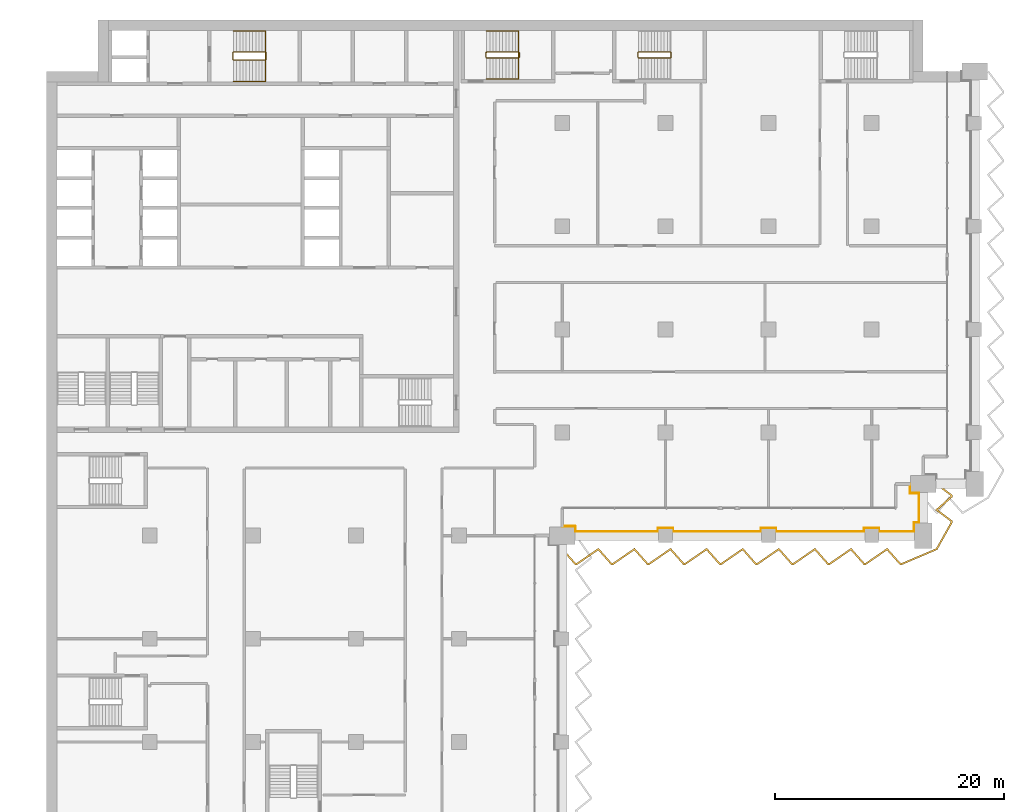
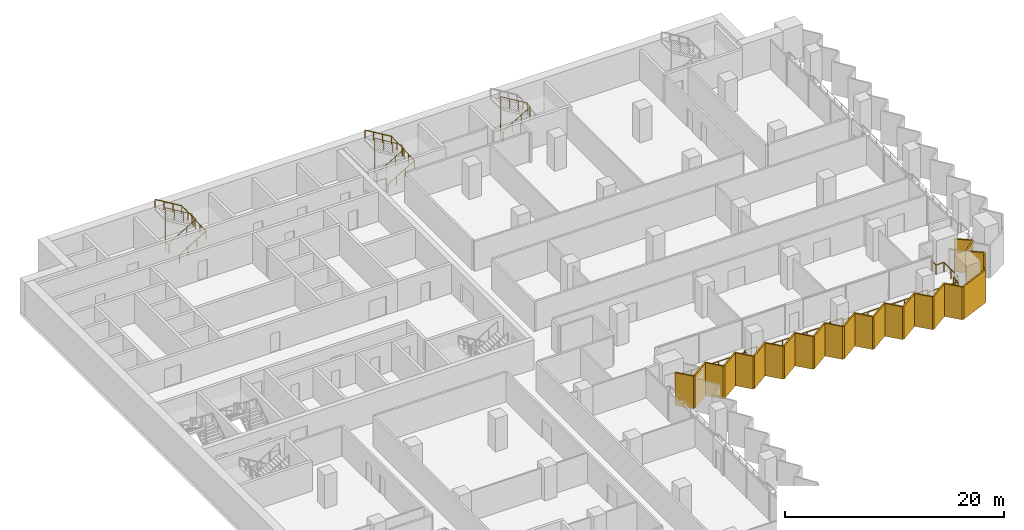
# One storey, part 22 of 23: 6 railings, 1 shading device.
"""IFC4 building model written with IfcOpenShell, lengths in metres."""

from ifc_helpers import new_model, si_unit, direction, frame, origin, origin_2d, place, context, subcontext, project, spatial, polyline, circle, outline, extrude, material, layer, layer_set, type_object, element, save


model = new_model("IFC4")

# Units and contexts
model_context = context("Model", 3, precision=1e-05, world=origin(), true_north=direction((0.0, 1.0)))
body_context = subcontext(model_context, "Body", "Model", "MODEL_VIEW")
ifc_project = project(units=[si_unit("LENGTHUNIT", "METRE"), si_unit("AREAUNIT", "SQUARE_METRE"), si_unit("VOLUMEUNIT", "CUBIC_METRE"), si_unit("PLANEANGLEUNIT", "RADIAN"), si_unit("MASSUNIT", "GRAM", prefix="KILO")], contexts=[model_context])

# Site, building, storey
site_placement = place(None, origin())
site = spatial("IfcSite", under=ifc_project, at=site_placement, CompositionType="ELEMENT")
building_placement = place(site_placement, origin())
building = spatial("IfcBuilding", under=site, at=building_placement, Name="Hunhe Ridgeline Campus", CompositionType="ELEMENT")
storey_placement = place(building_placement, frame((0.0, 0.0, 110.699951171875)))
storey = spatial("IfcBuildingStorey", under=building, at=storey_placement, Name="L27", CompositionType="ELEMENT", Elevation=110.699951171875)

# Railing
ifc_material_1 = material(Name="Steel Q355", Category="steel")
railing_type_1 = type_object("IfcRailingType", Name="Loggia guard 1100 Steel Q355", PredefinedType="GUARDRAIL", material=ifc_material_1)
railing_1_placement = place(storey_placement, frame((45.0, 54.820068359375, 0.0)))
element("IfcRailing", 1, at=railing_1_placement, inside=storey, type_object=railing_type_1, Name="Loggia guard 2", PredefinedType="GUARDRAIL", context=body_context, shape_type="SweptSolid", body=[
    extrude(circle(Radius=0.02392578125, at=origin_2d()), frame((0.0, 0.0, 1.076171875), z_axis=(1.0, 0.0, 0.0), x_axis=(0.0, 1.0, 0.0)), (0.0, 0.0, 1.0), 1.14990234375),
    extrude(circle(Radius=0.02392578125, at=origin_2d()), frame((1.14990234375, 0.0, 1.076171875), z_axis=(0.0, -1.0, 0.0), x_axis=(1.0, 0.0, 0.0)), (0.0, 0.0, 1.0), 0.469970703125),
    extrude(circle(Radius=0.02392578125, at=origin_2d()), frame((1.14990234375, -0.469970703125, 1.076171875), z_axis=(1.0, 0.0, 0.0), x_axis=(0.0, 1.0, 0.0)), (0.0, 0.0, 1.0), 7.2001953125),
    extrude(circle(Radius=0.02392578125, at=origin_2d()), frame((8.35009765625, -0.469970703125, 1.076171875), z_axis=(0.0, 1.0, 0.0), x_axis=(-1.0, 0.0, 0.0)), (0.0, 0.0, 1.0), 0.31982421875),
    extrude(circle(Radius=0.02392578125, at=origin_2d()), frame((8.35009765625, -0.150146484375, 1.076171875), z_axis=(1.0, 0.0, 0.0), x_axis=(0.0, 1.0, 0.0)), (0.0, 0.0, 1.0), 1.2998046875),
    extrude(circle(Radius=0.02392578125, at=origin_2d()), frame((9.64990234375, -0.150146484375, 1.076171875), z_axis=(0.0, -1.0, 0.0), x_axis=(1.0, 0.0, 0.0)), (0.0, 0.0, 1.0), 0.31982421875),
    extrude(circle(Radius=0.02392578125, at=origin_2d()), frame((9.64990234375, -0.469970703125, 1.076171875), z_axis=(1.0, 0.0, 0.0), x_axis=(0.0, 1.0, 0.0)), (0.0, 0.0, 1.0), 7.7001953125),
    extrude(circle(Radius=0.02392578125, at=origin_2d()), frame((17.35009765625, -0.469970703125, 1.076171875), z_axis=(0.0, 1.0, 0.0), x_axis=(-1.0, 0.0, 0.0)), (0.0, 0.0, 1.0), 0.31982421875),
    extrude(circle(Radius=0.02392578125, at=origin_2d()), frame((17.35009765625, -0.150146484375, 1.076171875), z_axis=(1.0, 0.0, 0.0), x_axis=(0.0, 1.0, 0.0)), (0.0, 0.0, 1.0), 1.2998046875),
    extrude(circle(Radius=0.02392578125, at=origin_2d()), frame((18.64990234375, -0.150146484375, 1.076171875), z_axis=(0.0, -1.0, 0.0), x_axis=(1.0, 0.0, 0.0)), (0.0, 0.0, 1.0), 0.31982421875),
    extrude(circle(Radius=0.02392578125, at=origin_2d()), frame((18.64990234375, -0.469970703125, 1.076171875), z_axis=(1.0, 0.0, 0.0), x_axis=(0.0, 1.0, 0.0)), (0.0, 0.0, 1.0), 7.7001953125),
    extrude(circle(Radius=0.02392578125, at=origin_2d()), frame((26.35009765625, -0.469970703125, 1.076171875), z_axis=(0.0, 1.0, 0.0), x_axis=(-1.0, 0.0, 0.0)), (0.0, 0.0, 1.0), 0.31982421875),
    extrude(circle(Radius=0.02392578125, at=origin_2d()), frame((26.35009765625, -0.150146484375, 1.076171875), z_axis=(1.0, 0.0, 0.0), x_axis=(0.0, 1.0, 0.0)), (0.0, 0.0, 1.0), 1.2998046875),
    extrude(circle(Radius=0.02392578125, at=origin_2d()), frame((27.64990234375, -0.150146484375, 1.076171875), z_axis=(0.0, -1.0, 0.0), x_axis=(1.0, 0.0, 0.0)), (0.0, 0.0, 1.0), 0.31982421875),
    extrude(circle(Radius=0.02392578125, at=origin_2d()), frame((27.64990234375, -0.469970703125, 1.076171875), z_axis=(1.0, 0.0, 0.0), x_axis=(0.0, 1.0, 0.0)), (0.0, 0.0, 1.0), 3.050048828125),
    extrude(circle(Radius=0.02392578125, at=origin_2d()), frame((30.699951171875, -0.469970703125, 1.076171875), z_axis=(0.0, 1.0, 0.0), x_axis=(-1.0, 0.0, 0.0)), (0.0, 0.0, 1.0), 0.81982421875),
    extrude(circle(Radius=0.02392578125, at=origin_2d()), frame((30.699951171875, 0.349853515625, 1.076171875), z_axis=(-0.057129153726, -0.99836679622, 0.0), x_axis=(0.99836679622, -0.057129153726, 0.0)), (0.0, 0.0, 1.0), 0.350341796875),
    extrude(circle(Radius=0.02392578125, at=origin_2d()), frame((30.679931640625, 0.0, 1.076171875), z_axis=(0.0, 1.0, 0.0), x_axis=(-1.0, 0.0, 0.0)), (0.0, 0.0, 1.0), 0.329833984375),
    extrude(circle(Radius=0.02392578125, at=origin_2d()), frame((30.679931640625, 0.329833984375, 1.076171875), z_axis=(1.0, 0.0, 0.0), x_axis=(0.0, 1.0, 0.0)), (0.0, 0.0, 1.0), 0.469970703125),
    extrude(circle(Radius=0.02392578125, at=origin_2d()), frame((31.14990234375, 0.329833984375, 1.076171875), z_axis=(0.0, 1.0, 0.0), x_axis=(-1.0, 0.0, 0.0)), (0.0, 0.0, 1.0), 2.550048828125),
    extrude(circle(Radius=0.02392578125, at=origin_2d()), frame((31.14990234375, 2.8798828125, 1.076171875), z_axis=(-1.0, 0.0, 0.0), x_axis=(0.0, -1.0, 0.0)), (0.0, 0.0, 1.0), 0.81982421875),
    extrude(circle(Radius=0.02392578125, at=origin_2d()), frame((30.330078125, 2.8798828125, 1.076171875), z_axis=(0.0, 1.0, 0.0), x_axis=(-1.0, 0.0, 0.0)), (0.0, 0.0, 1.0), 0.800048828125),
    extrude(circle(Radius=0.02099609375, at=origin_2d()), origin(), (0.0, 0.0, 1.0), 1.052001953125),
    extrude(circle(Radius=0.02099609375, at=origin_2d()), frame((1.14990234375, 0.0, 0.0)), (0.0, 0.0, 1.0), 1.052001953125),
    extrude(circle(Radius=0.02099609375, at=origin_2d()), frame((1.14990234375, -0.469970703125, 0.0)), (0.0, 0.0, 1.0), 1.052001953125),
    extrude(circle(Radius=0.02099609375, at=origin_2d()), frame((2.58984375, -0.469970703125, 0.0)), (0.0, 0.0, 1.0), 1.052001953125),
    extrude(circle(Radius=0.02099609375, at=origin_2d()), frame((4.030029296875, -0.469970703125, 0.0)), (0.0, 0.0, 1.0), 1.052001953125),
    extrude(circle(Radius=0.02099609375, at=origin_2d()), frame((5.469970703125, -0.469970703125, 0.0)), (0.0, 0.0, 1.0), 1.052001953125),
    extrude(circle(Radius=0.02099609375, at=origin_2d()), frame((6.91015625, -0.469970703125, 0.0)), (0.0, 0.0, 1.0), 1.052001953125),
    extrude(circle(Radius=0.02099609375, at=origin_2d()), frame((8.35009765625, -0.469970703125, 0.0)), (0.0, 0.0, 1.0), 1.052001953125),
    extrude(circle(Radius=0.02099609375, at=origin_2d()), frame((8.35009765625, -0.150146484375, 0.0)), (0.0, 0.0, 1.0), 1.052001953125),
    extrude(circle(Radius=0.02099609375, at=origin_2d()), frame((9.64990234375, -0.150146484375, 0.0)), (0.0, 0.0, 1.0), 1.052001953125),
    extrude(circle(Radius=0.02099609375, at=origin_2d()), frame((9.64990234375, -0.469970703125, 0.0)), (0.0, 0.0, 1.0), 1.052001953125),
    extrude(circle(Radius=0.02099609375, at=origin_2d()), frame((10.933349609375, -0.469970703125, 0.0)), (0.0, 0.0, 1.0), 1.052001953125),
    extrude(circle(Radius=0.02099609375, at=origin_2d()), frame((12.216552734375, -0.469970703125, 0.0)), (0.0, 0.0, 1.0), 1.052001953125),
    extrude(circle(Radius=0.02099609375, at=origin_2d()), frame((13.5, -0.469970703125, 0.0)), (0.0, 0.0, 1.0), 1.052001953125),
    extrude(circle(Radius=0.02099609375, at=origin_2d()), frame((14.783447265625, -0.469970703125, 0.0)), (0.0, 0.0, 1.0), 1.052001953125),
    extrude(circle(Radius=0.02099609375, at=origin_2d()), frame((16.066650390625, -0.469970703125, 0.0)), (0.0, 0.0, 1.0), 1.052001953125),
    extrude(circle(Radius=0.02099609375, at=origin_2d()), frame((17.35009765625, -0.469970703125, 0.0)), (0.0, 0.0, 1.0), 1.052001953125),
    extrude(circle(Radius=0.02099609375, at=origin_2d()), frame((17.35009765625, -0.150146484375, 0.0)), (0.0, 0.0, 1.0), 1.052001953125),
    extrude(circle(Radius=0.02099609375, at=origin_2d()), frame((18.64990234375, -0.150146484375, 0.0)), (0.0, 0.0, 1.0), 1.052001953125),
    extrude(circle(Radius=0.02099609375, at=origin_2d()), frame((18.64990234375, -0.469970703125, 0.0)), (0.0, 0.0, 1.0), 1.052001953125),
    extrude(circle(Radius=0.02099609375, at=origin_2d()), frame((19.933349609375, -0.469970703125, 0.0)), (0.0, 0.0, 1.0), 1.052001953125),
    extrude(circle(Radius=0.02099609375, at=origin_2d()), frame((21.216552734375, -0.469970703125, 0.0)), (0.0, 0.0, 1.0), 1.052001953125),
    extrude(circle(Radius=0.02099609375, at=origin_2d()), frame((22.5, -0.469970703125, 0.0)), (0.0, 0.0, 1.0), 1.052001953125),
    extrude(circle(Radius=0.02099609375, at=origin_2d()), frame((23.783447265625, -0.469970703125, 0.0)), (0.0, 0.0, 1.0), 1.052001953125),
    extrude(circle(Radius=0.02099609375, at=origin_2d()), frame((25.066650390625, -0.469970703125, 0.0)), (0.0, 0.0, 1.0), 1.052001953125),
    extrude(circle(Radius=0.02099609375, at=origin_2d()), frame((26.35009765625, -0.469970703125, 0.0)), (0.0, 0.0, 1.0), 1.052001953125),
    extrude(circle(Radius=0.02099609375, at=origin_2d()), frame((26.35009765625, -0.150146484375, 0.0)), (0.0, 0.0, 1.0), 1.052001953125),
    extrude(circle(Radius=0.02099609375, at=origin_2d()), frame((27.64990234375, -0.150146484375, 0.0)), (0.0, 0.0, 1.0), 1.052001953125),
    extrude(circle(Radius=0.02099609375, at=origin_2d()), frame((27.64990234375, -0.469970703125, 0.0)), (0.0, 0.0, 1.0), 1.052001953125),
    extrude(circle(Radius=0.02099609375, at=origin_2d()), frame((28.66650390625, -0.469970703125, 0.0)), (0.0, 0.0, 1.0), 1.052001953125),
    extrude(circle(Radius=0.02099609375, at=origin_2d()), frame((29.683349609375, -0.469970703125, 0.0)), (0.0, 0.0, 1.0), 1.052001953125),
    extrude(circle(Radius=0.02099609375, at=origin_2d()), frame((30.699951171875, -0.469970703125, 0.0)), (0.0, 0.0, 1.0), 1.052001953125),
    extrude(circle(Radius=0.02099609375, at=origin_2d()), frame((30.699951171875, 0.349853515625, 0.0)), (0.0, 0.0, 1.0), 1.052001953125),
    extrude(circle(Radius=0.02099609375, at=origin_2d()), frame((30.679931640625, 0.0, 0.0)), (0.0, 0.0, 1.0), 1.052001953125),
    extrude(circle(Radius=0.02099609375, at=origin_2d()), frame((30.679931640625, 0.329833984375, 0.0)), (0.0, 0.0, 1.0), 1.052001953125),
    extrude(circle(Radius=0.02099609375, at=origin_2d()), frame((31.14990234375, 0.329833984375, 0.0)), (0.0, 0.0, 1.0), 1.052001953125),
    extrude(circle(Radius=0.02099609375, at=origin_2d()), frame((31.14990234375, 1.60498046875, 0.0)), (0.0, 0.0, 1.0), 1.052001953125),
    extrude(circle(Radius=0.02099609375, at=origin_2d()), frame((31.14990234375, 2.8798828125, 0.0)), (0.0, 0.0, 1.0), 1.052001953125),
    extrude(circle(Radius=0.02099609375, at=origin_2d()), frame((30.330078125, 2.8798828125, 0.0)), (0.0, 0.0, 1.0), 1.052001953125),
    extrude(circle(Radius=0.02099609375, at=origin_2d()), frame((30.330078125, 3.679931640625, 0.0)), (0.0, 0.0, 1.0), 1.052001953125),
])

# Shading device
ifc_material_2 = material(Name="Concrete C50", Category="concrete")
ifc_layer = layer(ifc_material_2, 0.14990234375)
ifc_layer_set = layer_set([ifc_layer], Name="Sawtooth concrete fin 150 Concrete C50")
shading_device_type = type_object("IfcShadingDeviceType", Name="Sawtooth concrete fin 150 Concrete C50", PredefinedType="USERDEFINED", material=ifc_layer_set)
shading_device_placement = place(storey_placement, frame((0.0, 0.0, -0.949951171875)))
element("IfcShadingDevice", 2, at=shading_device_placement, inside=storey, type_object=shading_device_type, Name="Concrete fin screen 2", ObjectType="FIN", PredefinedType="USERDEFINED", context=body_context, shape_type="SweptSolid", body=[
    extrude(outline(polyline([(45.05615234375, 52.87451171875), (44.94384765625, 52.775390625), (46.11328125, 51.449951171875), (46.29052734375, 51.449951171875), (48.137939453125, 52.725341796875), (49.26318359375, 51.449951171875), (49.4404296875, 51.449951171875), (51.287841796875, 52.725341796875), (52.413330078125, 51.449951171875), (52.590576171875, 51.449951171875), (54.437744140625, 52.725341796875), (55.563232421875, 51.449951171875), (55.740478515625, 51.449951171875), (57.587890625, 52.725341796875), (58.71337890625, 51.449951171875), (58.890380859375, 51.449951171875), (60.73779296875, 52.725341796875), (61.86328125, 51.449951171875), (62.04052734375, 51.449951171875), (63.887939453125, 52.725341796875), (65.01318359375, 51.449951171875), (65.1904296875, 51.449951171875), (67.037841796875, 52.725341796875), (68.163330078125, 51.449951171875), (68.340576171875, 51.449951171875), (70.187744140625, 52.725341796875), (71.313232421875, 51.449951171875), (71.490478515625, 51.449951171875), (73.337890625, 52.725341796875), (74.46337890625, 51.449951171875), (74.63232421875, 51.449951171875), (77.72802734375, 52.76611328125), (79.050048828125, 55.12744140625), (79.050048828125, 55.304443359375), (77.79345703125, 56.25439453125), (79.050048828125, 57.36328125), (79.050048828125, 57.554443359375), (77.72021484375, 58.559814453125), (77.6298828125, 58.440185546875), (78.89990234375, 57.479736328125), (78.89990234375, 57.430908203125), (77.556640625, 56.24560546875), (78.89990234375, 55.229736328125), (78.89990234375, 55.166748046875), (77.6220703125, 52.884033203125), (74.601806640625, 51.60009765625), (74.531005859375, 51.60009765625), (73.362060546875, 52.924560546875), (71.44384765625, 51.60009765625), (71.380859375, 51.60009765625), (70.212158203125, 52.924560546875), (68.293701171875, 51.60009765625), (68.23095703125, 51.60009765625), (67.062255859375, 52.924560546875), (65.143798828125, 51.60009765625), (65.0810546875, 51.60009765625), (63.912109375, 52.924560546875), (61.99365234375, 51.60009765625), (61.930908203125, 51.60009765625), (60.76220703125, 52.924560546875), (58.84375, 51.60009765625), (58.781005859375, 51.60009765625), (57.612060546875, 52.924560546875), (55.69384765625, 51.60009765625), (55.630859375, 51.60009765625), (54.462158203125, 52.924560546875), (52.543701171875, 51.60009765625), (52.48095703125, 51.60009765625), (51.312255859375, 52.924560546875), (49.393798828125, 51.60009765625), (49.3310546875, 51.60009765625), (48.162109375, 52.924560546875), (46.24365234375, 51.60009765625), (46.180908203125, 51.60009765625), (45.05615234375, 52.87451171875)])), origin(), (0.0, 0.0, 1.0), 3.64990234375),
])

# Railings
ifc_material_3 = material(Name="Stainless steel balustrade", Category="steel")
railing_type_2 = type_object("IfcRailingType", Name="Stair guard 1100 stainless", PredefinedType="GUARDRAIL", material=ifc_material_3)
railing_2_placement = place(storey_placement, frame((16.300048828125, 95.5, 0.168212890625)))
element("IfcRailing", 3, at=railing_2_placement, inside=storey, type_object=railing_type_2, Name="L27 stair S1 guard", PredefinedType="GUARDRAIL", context=body_context, shape_type="SweptSolid", body=[
    extrude(circle(Radius=0.02392578125, at=origin_2d()), frame((0.0, 0.0, 1.076171875), z_axis=(0.857242210791, 0.0, 0.514913383045), x_axis=(0.0, 1.0, 0.0)), (0.0, 0.0, 1.0), 3.266357421875),
    extrude(circle(Radius=0.02392578125, at=origin_2d()), frame((2.800048828125, 0.0, 2.7578125), z_axis=(0.705375805398, 0.708833529934, 0.0), x_axis=(-0.708833529934, 0.705375805398, 0.0)), (0.0, 0.0, 1.0), 0.070556640625),
    extrude(circle(Radius=0.02392578125, at=origin_2d()), frame((2.849853515625, 0.050048828125, 2.7578125), z_axis=(0.0, 1.0, 0.0), x_axis=(-1.0, 0.0, 0.0)), (0.0, 0.0, 1.0), 0.599853515625),
    extrude(circle(Radius=0.02392578125, at=origin_2d()), frame((2.849853515625, 0.64990234375, 2.7578125), z_axis=(-0.273006030465, 0.27434429532, 0.922064485248), x_axis=(-0.708833529934, -0.705375805398, 0.0)), (0.0, 0.0, 1.0), 0.182373046875),
    extrude(circle(Radius=0.02392578125, at=origin_2d()), frame((2.800048828125, 0.699951171875, 2.92626953125), z_axis=(-0.857275202839, 0.0, 0.514858452973), x_axis=(0.0, -1.0, 0.0)), (0.0, 0.0, 1.0), 3.26611328125),
    extrude(circle(Radius=0.02392578125, at=origin_2d()), frame((0.0, 0.699951171875, 4.60791015625), z_axis=(-0.013524414389, -0.013524414389, -0.999817073484), x_axis=(0.707106781187, -0.707106781187, 0.0)), (0.0, 0.0, 1.0), 3.70068359375),
    extrude(circle(Radius=0.02392578125, at=origin_2d()), frame((-0.050048828125, 0.64990234375, 0.90771484375), z_axis=(0.0, -1.0, 0.0), x_axis=(1.0, 0.0, 0.0)), (0.0, 0.0, 1.0), 0.599853515625),
    extrude(circle(Radius=0.02099609375, at=origin_2d()), origin(), (0.0, 0.0, 1.0), 1.052001953125),
    extrude(circle(Radius=0.02099609375, at=origin_2d()), frame((0.933349609375, 0.0, 0.560546875)), (0.0, 0.0, 1.0), 1.052001953125),
    extrude(circle(Radius=0.02099609375, at=origin_2d()), frame((1.86669921875, 0.0, 1.121337890625)), (0.0, 0.0, 1.0), 1.052001953125),
    extrude(circle(Radius=0.02099609375, at=origin_2d()), frame((2.800048828125, 0.0, 1.681884765625)), (0.0, 0.0, 1.0), 1.052001953125),
    extrude(circle(Radius=0.02099609375, at=origin_2d()), frame((2.849853515625, 0.050048828125, 1.681884765625)), (0.0, 0.0, 1.0), 1.052001953125),
    extrude(circle(Radius=0.02099609375, at=origin_2d()), frame((2.849853515625, 0.64990234375, 1.681884765625)), (0.0, 0.0, 1.0), 1.052001953125),
    extrude(circle(Radius=0.02099609375, at=origin_2d()), frame((2.800048828125, 0.699951171875, 1.85009765625)), (0.0, 0.0, 1.0), 1.052001953125),
    extrude(circle(Radius=0.02099609375, at=origin_2d()), frame((1.86669921875, 0.699951171875, 2.41064453125)), (0.0, 0.0, 1.0), 1.052001953125),
    extrude(circle(Radius=0.02099609375, at=origin_2d()), frame((0.933349609375, 0.699951171875, 2.97119140625)), (0.0, 0.0, 1.0), 1.052001953125),
    extrude(circle(Radius=0.02099609375, at=origin_2d()), frame((0.0, 0.699951171875, 3.53173828125)), (0.0, 0.0, 1.0), 1.052001953125),
    extrude(circle(Radius=0.02099609375, at=origin_2d()), frame((-0.012451171875, 0.6875, 2.606689453125)), (0.0, 0.0, 1.0), 1.052001953125),
    extrude(circle(Radius=0.02099609375, at=origin_2d()), frame((-0.02490234375, 0.6748046875, 1.681640625)), (0.0, 0.0, 1.0), 1.052001953125),
    extrude(circle(Radius=0.02099609375, at=origin_2d()), frame((-0.03759765625, 0.662353515625, 0.7568359375)), (0.0, 0.0, 1.0), 1.052001953125),
    extrude(circle(Radius=0.02099609375, at=origin_2d()), frame((-0.050048828125, 0.64990234375, -0.168212890625)), (0.0, 0.0, 1.0), 1.052001953125),
    extrude(circle(Radius=0.02099609375, at=origin_2d()), frame((-0.050048828125, 0.050048828125, -0.168212890625)), (0.0, 0.0, 1.0), 1.052001953125),
])
railing_3_placement = place(storey_placement, frame((38.39990234375, 95.699951171875, 0.168212890625)))
element("IfcRailing", 4, at=railing_3_placement, inside=storey, type_object=railing_type_2, Name="L27 stair E1 guard", PredefinedType="GUARDRAIL", context=body_context, shape_type="SweptSolid", body=[
    extrude(circle(Radius=0.02392578125, at=origin_2d()), frame((0.0, 0.0, 1.076171875), z_axis=(0.857242210791, 0.0, 0.514913383045), x_axis=(0.0, 1.0, 0.0)), (0.0, 0.0, 1.0), 3.266357421875),
    extrude(circle(Radius=0.02392578125, at=origin_2d()), frame((2.800048828125, 0.0, 2.7578125), z_axis=(0.707106781187, 0.707106781187, 0.0), x_axis=(-0.707106781187, 0.707106781187, 0.0)), (0.0, 0.0, 1.0), 0.07080078125),
    extrude(circle(Radius=0.02392578125, at=origin_2d()), frame((2.85009765625, 0.050048828125, 2.7578125), z_axis=(0.0, 1.0, 0.0), x_axis=(-1.0, 0.0, 0.0)), (0.0, 0.0, 1.0), 0.39990234375),
    extrude(circle(Radius=0.02392578125, at=origin_2d()), frame((2.85009765625, 0.449951171875, 2.7578125), z_axis=(-0.274243871929, 0.274243871929, 0.92172696468), x_axis=(-0.707106781187, -0.707106781187, 0.0)), (0.0, 0.0, 1.0), 0.1826171875),
    extrude(circle(Radius=0.02392578125, at=origin_2d()), frame((2.800048828125, 0.5, 2.92626953125), z_axis=(-0.857275202839, 0.0, 0.514858452973), x_axis=(0.0, -1.0, 0.0)), (0.0, 0.0, 1.0), 3.26611328125),
    extrude(circle(Radius=0.02392578125, at=origin_2d()), frame((0.0, 0.5, 4.60791015625), z_axis=(-0.013458453615, -0.013524426427, -0.999817963389), x_axis=(0.708833529934, -0.705375805398, 0.0)), (0.0, 0.0, 1.0), 3.70068359375),
    extrude(circle(Radius=0.02392578125, at=origin_2d()), frame((-0.0498046875, 0.449951171875, 0.90771484375), z_axis=(0.0, -1.0, 0.0), x_axis=(1.0, 0.0, 0.0)), (0.0, 0.0, 1.0), 0.39990234375),
    extrude(circle(Radius=0.02099609375, at=origin_2d()), origin(), (0.0, 0.0, 1.0), 1.052001953125),
    extrude(circle(Radius=0.02099609375, at=origin_2d()), frame((0.933349609375, 0.0, 0.560546875)), (0.0, 0.0, 1.0), 1.052001953125),
    extrude(circle(Radius=0.02099609375, at=origin_2d()), frame((1.86669921875, 0.0, 1.121337890625)), (0.0, 0.0, 1.0), 1.052001953125),
    extrude(circle(Radius=0.02099609375, at=origin_2d()), frame((2.800048828125, 0.0, 1.681884765625)), (0.0, 0.0, 1.0), 1.052001953125),
    extrude(circle(Radius=0.02099609375, at=origin_2d()), frame((2.85009765625, 0.050048828125, 1.681884765625)), (0.0, 0.0, 1.0), 1.052001953125),
    extrude(circle(Radius=0.02099609375, at=origin_2d()), frame((2.85009765625, 0.449951171875, 1.681884765625)), (0.0, 0.0, 1.0), 1.052001953125),
    extrude(circle(Radius=0.02099609375, at=origin_2d()), frame((2.800048828125, 0.5, 1.85009765625)), (0.0, 0.0, 1.0), 1.052001953125),
    extrude(circle(Radius=0.02099609375, at=origin_2d()), frame((1.86669921875, 0.5, 2.41064453125)), (0.0, 0.0, 1.0), 1.052001953125),
    extrude(circle(Radius=0.02099609375, at=origin_2d()), frame((0.933349609375, 0.5, 2.97119140625)), (0.0, 0.0, 1.0), 1.052001953125),
    extrude(circle(Radius=0.02099609375, at=origin_2d()), frame((0.0, 0.5, 3.53173828125)), (0.0, 0.0, 1.0), 1.052001953125),
    extrude(circle(Radius=0.02099609375, at=origin_2d()), frame((-0.012451171875, 0.487548828125, 2.606689453125)), (0.0, 0.0, 1.0), 1.052001953125),
    extrude(circle(Radius=0.02099609375, at=origin_2d()), frame((-0.02490234375, 0.47509765625, 1.681640625)), (0.0, 0.0, 1.0), 1.052001953125),
    extrude(circle(Radius=0.02099609375, at=origin_2d()), frame((-0.037353515625, 0.46240234375, 0.7568359375)), (0.0, 0.0, 1.0), 1.052001953125),
    extrude(circle(Radius=0.02099609375, at=origin_2d()), frame((-0.0498046875, 0.449951171875, -0.168212890625)), (0.0, 0.0, 1.0), 1.052001953125),
    extrude(circle(Radius=0.02099609375, at=origin_2d()), frame((-0.0498046875, 0.050048828125, -0.168212890625)), (0.0, 0.0, 1.0), 1.052001953125),
])
railing_4_placement = place(storey_placement, frame((51.64990234375, 95.699951171875, 0.168212890625)))
element("IfcRailing", 5, at=railing_4_placement, inside=storey, type_object=railing_type_2, Name="L27 stair E2 guard", PredefinedType="GUARDRAIL", context=body_context, shape_type="SweptSolid", body=[
    extrude(circle(Radius=0.02392578125, at=origin_2d()), frame((0.0, 0.0, 1.076171875), z_axis=(0.857242210791, 0.0, 0.514913383045), x_axis=(0.0, 1.0, 0.0)), (0.0, 0.0, 1.0), 3.266357421875),
    extrude(circle(Radius=0.02392578125, at=origin_2d()), frame((2.800048828125, 0.0, 2.7578125), z_axis=(0.707106781187, 0.707106781187, 0.0), x_axis=(-0.707106781187, 0.707106781187, 0.0)), (0.0, 0.0, 1.0), 0.07080078125),
    extrude(circle(Radius=0.02392578125, at=origin_2d()), frame((2.85009765625, 0.050048828125, 2.7578125), z_axis=(0.0, 1.0, 0.0), x_axis=(-1.0, 0.0, 0.0)), (0.0, 0.0, 1.0), 0.39990234375),
    extrude(circle(Radius=0.02392578125, at=origin_2d()), frame((2.85009765625, 0.449951171875, 2.7578125), z_axis=(-0.274243871929, 0.274243871929, 0.92172696468), x_axis=(-0.707106781187, -0.707106781187, 0.0)), (0.0, 0.0, 1.0), 0.1826171875),
    extrude(circle(Radius=0.02392578125, at=origin_2d()), frame((2.800048828125, 0.5, 2.92626953125), z_axis=(-0.857275202839, 0.0, 0.514858452973), x_axis=(0.0, -1.0, 0.0)), (0.0, 0.0, 1.0), 3.26611328125),
    extrude(circle(Radius=0.02392578125, at=origin_2d()), frame((0.0, 0.5, 4.60791015625), z_axis=(-0.013458453615, -0.013524426427, -0.999817963389), x_axis=(0.708833529934, -0.705375805398, 0.0)), (0.0, 0.0, 1.0), 3.70068359375),
    extrude(circle(Radius=0.02392578125, at=origin_2d()), frame((-0.0498046875, 0.449951171875, 0.90771484375), z_axis=(0.0, -1.0, 0.0), x_axis=(1.0, 0.0, 0.0)), (0.0, 0.0, 1.0), 0.39990234375),
    extrude(circle(Radius=0.02099609375, at=origin_2d()), origin(), (0.0, 0.0, 1.0), 1.052001953125),
    extrude(circle(Radius=0.02099609375, at=origin_2d()), frame((0.933349609375, 0.0, 0.560546875)), (0.0, 0.0, 1.0), 1.052001953125),
    extrude(circle(Radius=0.02099609375, at=origin_2d()), frame((1.86669921875, 0.0, 1.121337890625)), (0.0, 0.0, 1.0), 1.052001953125),
    extrude(circle(Radius=0.02099609375, at=origin_2d()), frame((2.800048828125, 0.0, 1.681884765625)), (0.0, 0.0, 1.0), 1.052001953125),
    extrude(circle(Radius=0.02099609375, at=origin_2d()), frame((2.85009765625, 0.050048828125, 1.681884765625)), (0.0, 0.0, 1.0), 1.052001953125),
    extrude(circle(Radius=0.02099609375, at=origin_2d()), frame((2.85009765625, 0.449951171875, 1.681884765625)), (0.0, 0.0, 1.0), 1.052001953125),
    extrude(circle(Radius=0.02099609375, at=origin_2d()), frame((2.800048828125, 0.5, 1.85009765625)), (0.0, 0.0, 1.0), 1.052001953125),
    extrude(circle(Radius=0.02099609375, at=origin_2d()), frame((1.86669921875, 0.5, 2.41064453125)), (0.0, 0.0, 1.0), 1.052001953125),
    extrude(circle(Radius=0.02099609375, at=origin_2d()), frame((0.933349609375, 0.5, 2.97119140625)), (0.0, 0.0, 1.0), 1.052001953125),
    extrude(circle(Radius=0.02099609375, at=origin_2d()), frame((0.0, 0.5, 3.53173828125)), (0.0, 0.0, 1.0), 1.052001953125),
    extrude(circle(Radius=0.02099609375, at=origin_2d()), frame((-0.012451171875, 0.487548828125, 2.606689453125)), (0.0, 0.0, 1.0), 1.052001953125),
    extrude(circle(Radius=0.02099609375, at=origin_2d()), frame((-0.02490234375, 0.47509765625, 1.681640625)), (0.0, 0.0, 1.0), 1.052001953125),
    extrude(circle(Radius=0.02099609375, at=origin_2d()), frame((-0.037353515625, 0.46240234375, 0.7568359375)), (0.0, 0.0, 1.0), 1.052001953125),
    extrude(circle(Radius=0.02099609375, at=origin_2d()), frame((-0.0498046875, 0.449951171875, -0.168212890625)), (0.0, 0.0, 1.0), 1.052001953125),
    extrude(circle(Radius=0.02099609375, at=origin_2d()), frame((-0.0498046875, 0.050048828125, -0.168212890625)), (0.0, 0.0, 1.0), 1.052001953125),
])
ifc_material_4 = material(Name="Stainless steel handrail", Category="steel")
railing_type_3 = type_object("IfcRailingType", Name="Stair handrail 900 stainless", PredefinedType="HANDRAIL", material=ifc_material_4)
railing_5_placement = place(storey_placement, frame((16.300048828125, 93.64990234375, 0.168212890625)))
element("IfcRailing", 6, at=railing_5_placement, inside=storey, type_object=railing_type_3, Name="L27 stair S1 handrail", PredefinedType="HANDRAIL", context=body_context, shape_type="SweptSolid", body=[
    extrude(circle(Radius=0.02392578125, at=origin_2d()), frame((0.0, 0.0, 0.8759765625), z_axis=(0.857242210791, 0.0, 0.514913383045), x_axis=(0.0, 1.0, 0.0)), (0.0, 0.0, 1.0), 3.266357421875),
    extrude(circle(Radius=0.02392578125, at=origin_2d()), frame((2.800048828125, 0.0, 2.5576171875), z_axis=(0.0, 0.999270074432, 0.038201025428), x_axis=(-1.0, 0.0, 0.0)), (0.0, 0.0, 1.0), 4.4033203125),
    extrude(circle(Radius=0.02392578125, at=origin_2d()), frame((2.800048828125, 4.400146484375, 2.72607421875), z_axis=(-0.857275202839, 0.0, 0.514858452973), x_axis=(0.0, -1.0, 0.0)), (0.0, 0.0, 1.0), 3.26611328125),
    extrude(circle(Radius=0.02099609375, at=origin_2d()), origin(), (0.0, 0.0, 1.0), 0.851806640625),
    extrude(circle(Radius=0.02099609375, at=origin_2d()), frame((0.933349609375, 0.0, 0.560546875)), (0.0, 0.0, 1.0), 0.851806640625),
    extrude(circle(Radius=0.02099609375, at=origin_2d()), frame((1.86669921875, 0.0, 1.121337890625)), (0.0, 0.0, 1.0), 0.851806640625),
    extrude(circle(Radius=0.02099609375, at=origin_2d()), frame((2.800048828125, 0.0, 1.681884765625)), (0.0, 0.0, 1.0), 0.851806640625),
    extrude(circle(Radius=0.02099609375, at=origin_2d()), frame((2.800048828125, 1.10009765625, 1.723876953125)), (0.0, 0.0, 1.0), 0.851806640625),
    extrude(circle(Radius=0.02099609375, at=origin_2d()), frame((2.800048828125, 2.2001953125, 1.76611328125)), (0.0, 0.0, 1.0), 0.851806640625),
    extrude(circle(Radius=0.02099609375, at=origin_2d()), frame((2.800048828125, 3.300048828125, 1.80810546875)), (0.0, 0.0, 1.0), 0.851806640625),
    extrude(circle(Radius=0.02099609375, at=origin_2d()), frame((2.800048828125, 4.400146484375, 1.85009765625)), (0.0, 0.0, 1.0), 0.851806640625),
    extrude(circle(Radius=0.02099609375, at=origin_2d()), frame((1.86669921875, 4.400146484375, 2.41064453125)), (0.0, 0.0, 1.0), 0.851806640625),
    extrude(circle(Radius=0.02099609375, at=origin_2d()), frame((0.933349609375, 4.400146484375, 2.97119140625)), (0.0, 0.0, 1.0), 0.851806640625),
    extrude(circle(Radius=0.02099609375, at=origin_2d()), frame((0.0, 4.400146484375, 3.53173828125)), (0.0, 0.0, 1.0), 0.851806640625),
])
railing_6_placement = place(storey_placement, frame((38.39990234375, 93.85009765625, 0.168212890625)))
element("IfcRailing", 7, at=railing_6_placement, inside=storey, type_object=railing_type_3, Name="L27 stair E1 handrail", PredefinedType="HANDRAIL", context=body_context, shape_type="SweptSolid", body=[
    extrude(circle(Radius=0.02392578125, at=origin_2d()), frame((0.0, 0.0, 0.8759765625), z_axis=(0.857242210791, 0.0, 0.514913383045), x_axis=(0.0, 1.0, 0.0)), (0.0, 0.0, 1.0), 3.266357421875),
    extrude(circle(Radius=0.02392578125, at=origin_2d()), frame((2.800048828125, 0.0, 2.5576171875), z_axis=(0.0, 0.999198916169, 0.040019069537), x_axis=(-1.0, 0.0, 0.0)), (0.0, 0.0, 1.0), 4.203369140625),
    extrude(circle(Radius=0.02392578125, at=origin_2d()), frame((2.800048828125, 4.199951171875, 2.72607421875), z_axis=(-0.857275202839, 0.0, 0.514858452973), x_axis=(0.0, -1.0, 0.0)), (0.0, 0.0, 1.0), 3.26611328125),
    extrude(circle(Radius=0.02099609375, at=origin_2d()), origin(), (0.0, 0.0, 1.0), 0.851806640625),
    extrude(circle(Radius=0.02099609375, at=origin_2d()), frame((0.933349609375, 0.0, 0.560546875)), (0.0, 0.0, 1.0), 0.851806640625),
    extrude(circle(Radius=0.02099609375, at=origin_2d()), frame((1.86669921875, 0.0, 1.121337890625)), (0.0, 0.0, 1.0), 0.851806640625),
    extrude(circle(Radius=0.02099609375, at=origin_2d()), frame((2.800048828125, 0.0, 1.681884765625)), (0.0, 0.0, 1.0), 0.851806640625),
    extrude(circle(Radius=0.02099609375, at=origin_2d()), frame((2.800048828125, 1.050048828125, 1.723876953125)), (0.0, 0.0, 1.0), 0.851806640625),
    extrude(circle(Radius=0.02099609375, at=origin_2d()), frame((2.800048828125, 2.10009765625, 1.76611328125)), (0.0, 0.0, 1.0), 0.851806640625),
    extrude(circle(Radius=0.02099609375, at=origin_2d()), frame((2.800048828125, 3.14990234375, 1.80810546875)), (0.0, 0.0, 1.0), 0.851806640625),
    extrude(circle(Radius=0.02099609375, at=origin_2d()), frame((2.800048828125, 4.199951171875, 1.85009765625)), (0.0, 0.0, 1.0), 0.851806640625),
    extrude(circle(Radius=0.02099609375, at=origin_2d()), frame((1.86669921875, 4.199951171875, 2.41064453125)), (0.0, 0.0, 1.0), 0.851806640625),
    extrude(circle(Radius=0.02099609375, at=origin_2d()), frame((0.933349609375, 4.199951171875, 2.97119140625)), (0.0, 0.0, 1.0), 0.851806640625),
    extrude(circle(Radius=0.02099609375, at=origin_2d()), frame((0.0, 4.199951171875, 3.53173828125)), (0.0, 0.0, 1.0), 0.851806640625),
])

save(model, "model.ifc")
